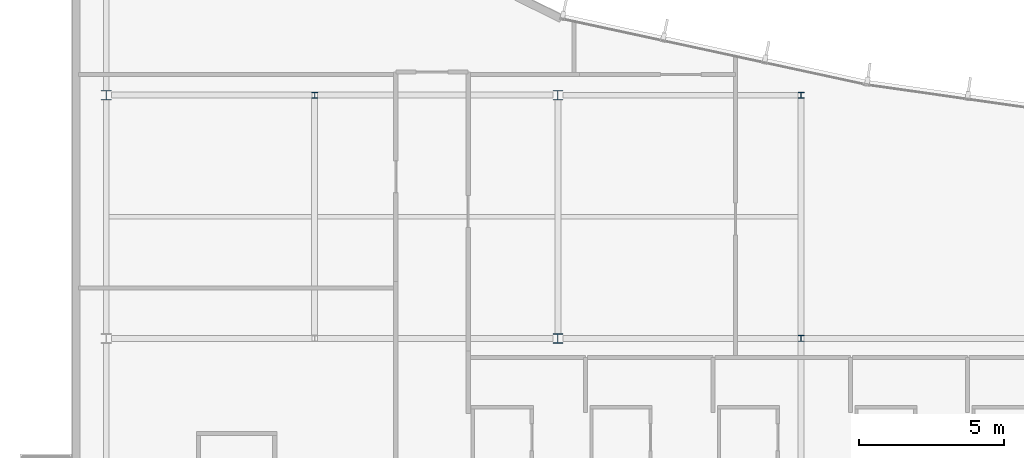
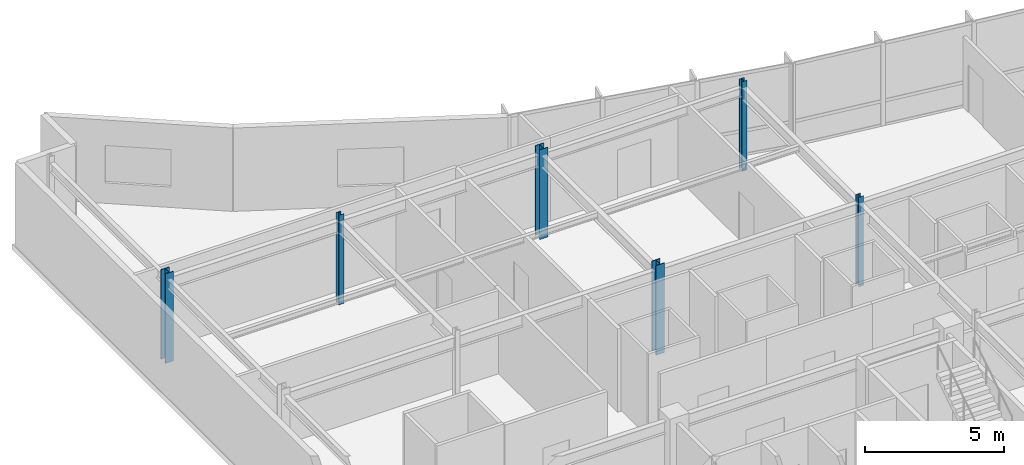
# One storey, part 2 of 15: 6 columns.
"""IFC4 building model written with IfcOpenShell, lengths in metres."""

from ifc_helpers import new_model, si_unit, direction, frame, origin, origin_2d, place, context, subcontext, project, spatial, i_section, extrude, material, material_profile, profile_set, type_object, element, save


model = new_model("IFC4")

# Units and contexts
model_context = context("Model", 3, precision=1e-05, world=origin(), true_north=direction((0.0, 1.0)))
body_context = subcontext(model_context, "Body", "Model", "MODEL_VIEW")
ifc_project = project(units=[si_unit("LENGTHUNIT", "METRE"), si_unit("AREAUNIT", "SQUARE_METRE"), si_unit("VOLUMEUNIT", "CUBIC_METRE"), si_unit("PLANEANGLEUNIT", "RADIAN"), si_unit("MASSUNIT", "GRAM", prefix="KILO")], contexts=[model_context])

# Site, building, storey
site_placement = place(None, origin())
site = spatial("IfcSite", under=ifc_project, at=site_placement, CompositionType="ELEMENT")
building_placement = place(site_placement, origin())
building = spatial("IfcBuilding", under=site, at=building_placement, Name="Varnakote Quay Hospital", CompositionType="ELEMENT")
storey_placement = place(building_placement, frame((0.0, 0.0, 300.0)))
storey = spatial("IfcBuildingStorey", under=building, at=storey_placement, Name="L74", CompositionType="ELEMENT", Elevation=300.0)

# Columns
ifc_material_1 = material(Name="Structural steel AS/NZS 3679.1 Grade 350 L0 (fy 340 MPa)", Category="steel")
ifc_material_profile_1 = material_profile(ifc_material_1, i_section(OverallWidth=0.205078125, OverallDepth=0.2099609375, WebThickness=0.00927734375, FlangeThickness=0.01416015625, FilletRadius=0.011474609375, at=origin_2d()), Name="200UC59.5")
ifc_profile_set_1 = profile_set([ifc_material_profile_1], Name="Structural steel AS/NZS 3679.1 Grade 350 L0 (fy 340 MPa)")
column_type_1 = type_object("IfcColumnType", Name="COL-STL-200UC59-5", PredefinedType="COLUMN", material=ifc_profile_set_1)
for number, where, z_axis, x_axis, name in (
    (1, (25.199951171875, 20.39990234375, 0.0), (0.0, 0.0, 1.0), (1.0, 0.0, 0.0), "L74 Structural Column C-25-20"),
    (2, (8.39990234375, 28.800048828125, 0.0), (0.0, 0.0, 1.0), (1.0, 0.0, 0.0), "L74 Structural Column C-8-29"),
    (3, (25.199951171875, 28.800048828125, 0.0), (0.0, 0.0, 1.0), (1.0, 0.0, 0.0), "L74 Structural Column C-25-29"),
):
    element("IfcColumn", number, at=place(storey_placement, frame(where, z_axis=z_axis, x_axis=x_axis)), inside=storey, type_object=column_type_1, Name=name, PredefinedType="COLUMN", context=body_context, shape_type="SweptSolid", body=[
        extrude(i_section(OverallWidth=0.205078125, OverallDepth=0.2099609375, WebThickness=0.00927734375, FlangeThickness=0.01416015625, FilletRadius=0.011474609375, at=origin_2d()), origin(), (0.0, 0.0, 1.0), 3.949951171875),
    ])
ifc_material_2 = material(Name="Structural steel AS/NZS 3678 Grade 350 (fy 340 MPa)", Category="steel")
ifc_material_profile_2 = material_profile(ifc_material_2, i_section(OverallWidth=0.35009765625, OverallDepth=0.340087890625, WebThickness=0.01611328125, FlangeThickness=0.028076171875, at=origin_2d()), Name="350WC197")
ifc_profile_set_2 = profile_set([ifc_material_profile_2], Name="Structural steel AS/NZS 3678 Grade 350 (fy 340 MPa)")
column_type_2 = type_object("IfcColumnType", Name="COL-STL-350WC197", PredefinedType="COLUMN", material=ifc_profile_set_2)
for number, where, z_axis, x_axis, name in (
    (4, (16.800048828125, 20.39990234375, 0.0), (0.0, 0.0, 1.0), (1.0, 0.0, 0.0), "L74 Structural Column C-17-20"),
    (5, (1.199951171875, 28.800048828125, 0.0), (0.0, 0.0, 1.0), (1.0, 0.0, 0.0), "L74 Structural Column C-1-29"),
    (6, (16.800048828125, 28.800048828125, 0.0), (0.0, 0.0, 1.0), (1.0, 0.0, 0.0), "L74 Structural Column C-17-29"),
):
    element("IfcColumn", number, at=place(storey_placement, frame(where, z_axis=z_axis, x_axis=x_axis)), inside=storey, type_object=column_type_2, Name=name, PredefinedType="COLUMN", context=body_context, shape_type="SweptSolid", body=[
        extrude(i_section(OverallWidth=0.35009765625, OverallDepth=0.340087890625, WebThickness=0.01611328125, FlangeThickness=0.028076171875, at=origin_2d()), origin(), (0.0, 0.0, 1.0), 3.949951171875),
    ])

save(model, "model.ifc")
